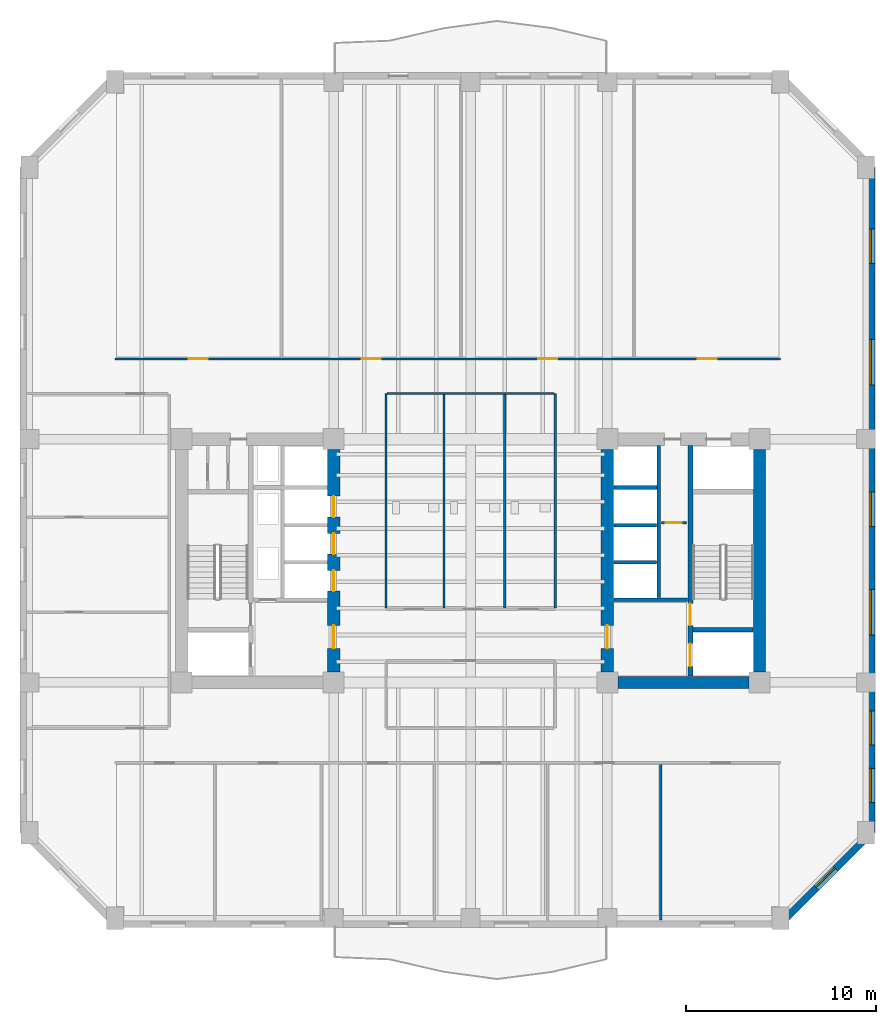
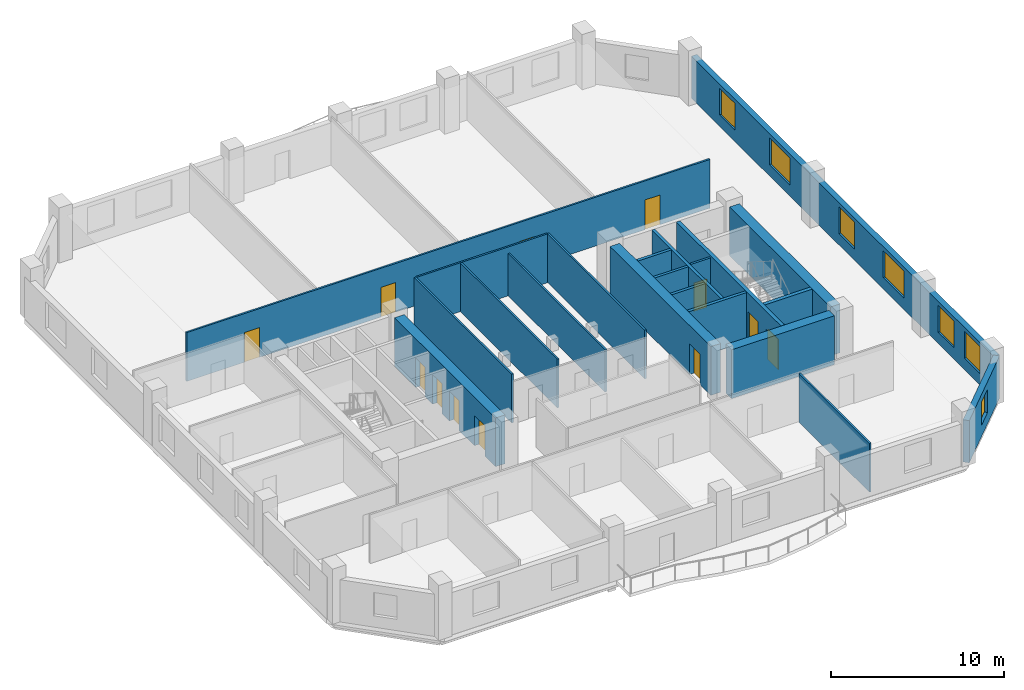
# One storey, part 4 of 10: 21 walls, 12 doors, 7 windows, 19 openings.
"""IFC4 building model written with IfcOpenShell, lengths in metres."""

from ifc_helpers import new_model, si_unit, direction, frame, frame_2d, origin, place, context, subcontext, project, spatial, rectangle, extrude, material, layer, layer_set, type_object, element, fill, save


model = new_model("IFC4")

# Units and contexts
model_context = context("Model", 3, precision=1e-05, world=origin(), true_north=direction((0.0, 1.0)))
body_context = subcontext(model_context, "Body", "Model", "MODEL_VIEW")
ifc_project = project(units=[si_unit("LENGTHUNIT", "METRE"), si_unit("AREAUNIT", "SQUARE_METRE"), si_unit("VOLUMEUNIT", "CUBIC_METRE"), si_unit("PLANEANGLEUNIT", "RADIAN"), si_unit("MASSUNIT", "GRAM", prefix="KILO")], contexts=[model_context])

# Site, building, storey
site_placement = place(None, origin())
site = spatial("IfcSite", under=ifc_project, at=site_placement, CompositionType="ELEMENT")
building_placement = place(site_placement, origin())
building = spatial("IfcBuilding", under=site, at=building_placement, Name="Kranthara Brick Stack", CompositionType="ELEMENT")
storey_placement = place(building_placement, frame((0.0, 0.0, 106.199951171875)))
storey = spatial("IfcBuildingStorey", under=building, at=storey_placement, Name="L26", CompositionType="ELEMENT", Elevation=106.199951171875)

# Wall, openings, windows
ifc_material_1 = material(Name="Kiln-fired clay brick masonry M15", Category="masonry")
ifc_layer_1 = layer(ifc_material_1, 0.3798828125)
ifc_layer_set_1 = layer_set([ifc_layer_1], Name="Kiln-fired clay brick masonry M15")
wall_type_1 = type_object("IfcWallType", Name="WL-BRK-PIER-380", PredefinedType="STANDARD", material=ifc_layer_set_1)
wall_1_placement = place(storey_placement, frame((49.090087890625, 47.89990234375, 0.0), z_axis=(0.0, 0.0, 1.0), x_axis=(0.0, -1.0, 0.0)))
wall_1 = element("IfcWall", 1, at=wall_1_placement, inside=storey, type_object=wall_type_1, Name="L26 Exterior Brick Facade Wall EAST 1", PredefinedType="STANDARD", context=body_context, shape_type="SweptSolid", body=[
    extrude(rectangle(XDim=35.0, YDim=0.3798828125, at=frame_2d((17.5, 0.0))), origin(), (0.0, 0.0, 1.0), 2.985107421875),
])
opening_1_placement = place(wall_1_placement, frame((3.251953125, 0.0, 0.800048828125)))
opening_1 = element("IfcOpeningElement", 2, at=opening_1_placement, cuts=wall_1, Name="Opening WN01", PredefinedType="OPENING", context=body_context, shape_type="SweptSolid", body=[
    extrude(rectangle(XDim=1.800048828125, YDim=1.89990234375, at=frame_2d((0.89990234375, 0.949951171875))), frame((0.0, 0.199951171875, 0.0), z_axis=(0.0, -1.0, 0.0), x_axis=(1.0, 0.0, 0.0)), (0.0, 0.0, 1.0), 0.39990234375),
])
opening_2_placement = place(wall_1_placement, frame((9.048095703125, 0.0, 0.800048828125)))
opening_2 = element("IfcOpeningElement", 3, at=opening_2_placement, cuts=wall_1, Name="Opening WN02", PredefinedType="OPENING", context=body_context, shape_type="SweptSolid", body=[
    extrude(rectangle(XDim=2.39990234375, YDim=1.89990234375, at=frame_2d((1.199951171875, 0.949951171875))), frame((0.0, 0.199951171875, 0.0), z_axis=(0.0, -1.0, 0.0), x_axis=(1.0, 0.0, 0.0)), (0.0, 0.0, 1.0), 0.39990234375),
])
opening_3_placement = place(wall_1_placement, frame((17.087890625, 0.0, 0.800048828125)))
opening_3 = element("IfcOpeningElement", 4, at=opening_3_placement, cuts=wall_1, Name="Opening WN01", PredefinedType="OPENING", context=body_context, shape_type="SweptSolid", body=[
    extrude(rectangle(XDim=1.800048828125, YDim=1.89990234375, at=frame_2d((0.89990234375, 0.949951171875))), frame((0.0, 0.199951171875, 0.0), z_axis=(0.0, -1.0, 0.0), x_axis=(1.0, 0.0, 0.0)), (0.0, 0.0, 1.0), 0.39990234375),
])
opening_4_placement = place(wall_1_placement, frame((22.2119140625, 0.0, 0.800048828125)))
opening_4 = element("IfcOpeningElement", 5, at=opening_4_placement, cuts=wall_1, Name="Opening WN02", PredefinedType="OPENING", context=body_context, shape_type="SweptSolid", body=[
    extrude(rectangle(XDim=2.39990234375, YDim=1.89990234375, at=frame_2d((1.199951171875, 0.949951171875))), frame((0.0, 0.199951171875, 0.0), z_axis=(0.0, -1.0, 0.0), x_axis=(1.0, 0.0, 0.0)), (0.0, 0.0, 1.0), 0.39990234375),
])
opening_5_placement = place(wall_1_placement, frame((28.587890625, 0.0, 0.800048828125)))
opening_5 = element("IfcOpeningElement", 6, at=opening_5_placement, cuts=wall_1, Name="Opening WN01", PredefinedType="OPENING", context=body_context, shape_type="SweptSolid", body=[
    extrude(rectangle(XDim=1.800048828125, YDim=1.89990234375, at=frame_2d((0.89990234375, 0.949951171875))), frame((0.0, 0.199951171875, 0.0), z_axis=(0.0, -1.0, 0.0), x_axis=(1.0, 0.0, 0.0)), (0.0, 0.0, 1.0), 0.39990234375),
])
opening_6_placement = place(wall_1_placement, frame((31.612060546875, 0.0, 0.800048828125)))
opening_6 = element("IfcOpeningElement", 7, at=opening_6_placement, cuts=wall_1, Name="Opening WN01", PredefinedType="OPENING", context=body_context, shape_type="SweptSolid", body=[
    extrude(rectangle(XDim=1.800048828125, YDim=1.89990234375, at=frame_2d((0.89990234375, 0.949951171875))), frame((0.0, 0.199951171875, 0.0), z_axis=(0.0, -1.0, 0.0), x_axis=(1.0, 0.0, 0.0)), (0.0, 0.0, 1.0), 0.39990234375),
])
ifc_material_2 = material(Name="Double-glazed low-E solar control glass", Category="glass")
window_type_1 = type_object("IfcWindowType", Name="WN-OFF-1800x2000", PartitioningType="SINGLE_PANEL", PredefinedType="WINDOW", material=ifc_material_2)
window_1_placement = place(opening_1_placement, origin())
window_1 = element("IfcWindow", 8, at=window_1_placement, inside=storey, type_object=window_type_1, Name="L26 East Deep-Set Brick Window 01", OverallHeight=1.89990234375, OverallWidth=1.800048828125, PartitioningType="SINGLE_PANEL", PredefinedType="WINDOW", context=body_context, shape_type="SweptSolid", body=[
    extrude(rectangle(XDim=1.800048828125, YDim=1.89990234375, at=frame_2d((0.89990234375, 0.949951171875))), frame((0.0, -0.010009765625, 0.0), z_axis=(0.0, -1.0, 0.0), x_axis=(1.0, 0.0, 0.0)), (0.0, 0.0, 1.0), 0.06005859375),
])
fill(opening_1, window_1)
window_2_placement = place(opening_3_placement, origin())
window_2 = element("IfcWindow", 9, at=window_2_placement, inside=storey, type_object=window_type_1, Name="L26 East Deep-Set Brick Window 03", OverallHeight=1.89990234375, OverallWidth=1.800048828125, PartitioningType="SINGLE_PANEL", PredefinedType="WINDOW", context=body_context, shape_type="SweptSolid", body=[
    extrude(rectangle(XDim=1.800048828125, YDim=1.89990234375, at=frame_2d((0.89990234375, 0.949951171875))), frame((0.0, -0.010009765625, 0.0), z_axis=(0.0, -1.0, 0.0), x_axis=(1.0, 0.0, 0.0)), (0.0, 0.0, 1.0), 0.06005859375),
])
fill(opening_3, window_2)
window_3_placement = place(opening_5_placement, origin())
window_3 = element("IfcWindow", 10, at=window_3_placement, inside=storey, type_object=window_type_1, Name="L26 East Deep-Set Brick Window 05", OverallHeight=1.89990234375, OverallWidth=1.800048828125, PartitioningType="SINGLE_PANEL", PredefinedType="WINDOW", context=body_context, shape_type="SweptSolid", body=[
    extrude(rectangle(XDim=1.800048828125, YDim=1.89990234375, at=frame_2d((0.89990234375, 0.949951171875))), frame((0.0, -0.010009765625, 0.0), z_axis=(0.0, -1.0, 0.0), x_axis=(1.0, 0.0, 0.0)), (0.0, 0.0, 1.0), 0.06005859375),
])
fill(opening_5, window_3)
window_4_placement = place(opening_6_placement, origin())
window_4 = element("IfcWindow", 11, at=window_4_placement, inside=storey, type_object=window_type_1, Name="L26 East Deep-Set Brick Window 06", OverallHeight=1.89990234375, OverallWidth=1.800048828125, PartitioningType="SINGLE_PANEL", PredefinedType="WINDOW", context=body_context, shape_type="SweptSolid", body=[
    extrude(rectangle(XDim=1.800048828125, YDim=1.89990234375, at=frame_2d((0.89990234375, 0.949951171875))), frame((0.0, -0.010009765625, 0.0), z_axis=(0.0, -1.0, 0.0), x_axis=(1.0, 0.0, 0.0)), (0.0, 0.0, 1.0), 0.06005859375),
])
fill(opening_6, window_4)
ifc_material_3 = material(Name="Double-glazed low-E solar control glass", Category="glass")
window_type_2 = type_object("IfcWindowType", Name="WN-OFF-2400x2000", PartitioningType="DOUBLE_PANEL_VERTICAL", PredefinedType="WINDOW", material=ifc_material_3)
window_5_placement = place(opening_2_placement, origin())
window_5 = element("IfcWindow", 12, at=window_5_placement, inside=storey, type_object=window_type_2, Name="L26 East Deep-Set Brick Window 02", OverallHeight=1.89990234375, OverallWidth=2.39990234375, PartitioningType="SINGLE_PANEL", PredefinedType="WINDOW", context=body_context, shape_type="SweptSolid", body=[
    extrude(rectangle(XDim=2.39990234375, YDim=1.89990234375, at=frame_2d((1.199951171875, 0.949951171875))), frame((0.0, -0.010009765625, 0.0), z_axis=(0.0, -1.0, 0.0), x_axis=(1.0, 0.0, 0.0)), (0.0, 0.0, 1.0), 0.06005859375),
])
fill(opening_2, window_5)
window_6_placement = place(opening_4_placement, origin())
window_6 = element("IfcWindow", 13, at=window_6_placement, inside=storey, type_object=window_type_2, Name="L26 East Deep-Set Brick Window 04", OverallHeight=1.89990234375, OverallWidth=2.39990234375, PartitioningType="SINGLE_PANEL", PredefinedType="WINDOW", context=body_context, shape_type="SweptSolid", body=[
    extrude(rectangle(XDim=2.39990234375, YDim=1.89990234375, at=frame_2d((1.199951171875, 0.949951171875))), frame((0.0, -0.010009765625, 0.0), z_axis=(0.0, -1.0, 0.0), x_axis=(1.0, 0.0, 0.0)), (0.0, 0.0, 1.0), 0.06005859375),
])
fill(opening_4, window_6)

# Wall, opening, window
wall_2_placement = place(storey_placement, frame((49.090087890625, 12.89990234375, 0.0), z_axis=(0.0, 0.0, 1.0), x_axis=(-0.707124801467, -0.707088760447, 0.0)))
wall_2 = element("IfcWall", 14, at=wall_2_placement, inside=storey, type_object=wall_type_1, Name="L26 Exterior Brick Facade Wall SE 1", PredefinedType="STANDARD", context=body_context, shape_type="SweptSolid", body=[
    extrude(rectangle(XDim=6.77392578125, YDim=0.3798828125, at=frame_2d((3.386962890625, 0.0))), origin(), (0.0, 0.0, 1.0), 2.985107421875),
])
opening_7_placement = place(wall_2_placement, frame((2.68701171875, 0.0, 0.800048828125)))
opening_7 = element("IfcOpeningElement", 15, at=opening_7_placement, cuts=wall_2, Name="Opening WN10", PredefinedType="OPENING", context=body_context, shape_type="SweptSolid", body=[
    extrude(rectangle(XDim=1.39990234375, YDim=1.64990234375, at=frame_2d((0.699951171875, 0.824951171875))), frame((0.0, 0.199951171875, 0.0), z_axis=(0.0, -1.0, 0.0), x_axis=(1.0, 0.0, 0.0)), (0.0, 0.0, 1.0), 0.39990234375),
])
ifc_material_4 = material(Name="Double-glazed low-E solar control glass", Category="glass")
window_type_3 = type_object("IfcWindowType", Name="WN-CHM-1400x1750", PartitioningType="SINGLE_PANEL", PredefinedType="WINDOW", material=ifc_material_4)
window_7_placement = place(opening_7_placement, origin())
window_7 = element("IfcWindow", 16, at=window_7_placement, inside=storey, type_object=window_type_3, Name="L26 SE Chamfer Corner Window", OverallHeight=1.64990234375, OverallWidth=1.39990234375, PartitioningType="SINGLE_PANEL", PredefinedType="WINDOW", context=body_context, shape_type="SweptSolid", body=[
    extrude(rectangle(XDim=1.39990234375, YDim=1.64990234375, at=frame_2d((0.699951171875, 0.824951171875))), frame((0.0, -0.010009765625, 0.0), z_axis=(0.0, -1.0, 0.0), x_axis=(1.0, 0.0, 0.0)), (0.0, 0.0, 1.0), 0.06005859375),
])
fill(opening_7, window_7)

# Wall, openings, doors
ifc_material_5 = material(Name="Concrete C50/60", Category="concrete")
ifc_layer_2 = layer(ifc_material_5, 0.25)
ifc_layer_set_2 = layer_set([ifc_layer_2], Name="Concrete C50/60")
wall_type_2 = type_object("IfcWallType", Name="WL-CORE-250", PredefinedType="SHEAR", material=ifc_layer_set_2)
wall_3_placement = place(storey_placement, frame((39.56494140625, 21.135009765625, 0.0), z_axis=(0.0, 0.0, 1.0), x_axis=(0.0, 1.0, 0.0)))
wall_3 = element("IfcWall", 17, at=wall_3_placement, inside=storey, type_object=wall_type_2, Name="L26 East Core Stair Bearing Spine Wall", PredefinedType="SHEAR", context=body_context, shape_type="SweptSolid", body=[
    extrude(rectangle(XDim=12.1298828125, YDim=0.25, at=frame_2d((6.06494140625, 0.0))), origin(), (0.0, 0.0, 1.0), 3.449951171875),
])
opening_8_placement = place(wall_3_placement, frame((0.514892578125, 0.0, 0.0)))
opening_8 = element("IfcOpeningElement", 18, at=opening_8_placement, cuts=wall_3, Name="Opening LD01", PredefinedType="OPENING", context=body_context, shape_type="SweptSolid", body=[
    extrude(rectangle(XDim=1.199951171875, YDim=2.14990234375, at=frame_2d((0.60009765625, 1.074951171875))), frame((0.0, 0.135009765625, 0.0), z_axis=(0.0, -1.0, 0.0), x_axis=(1.0, 0.0, 0.0)), (0.0, 0.0, 1.0), 0.27001953125),
])
opening_9_placement = place(wall_3_placement, frame((2.6650390625, 0.0, 0.0)))
opening_9 = element("IfcOpeningElement", 19, at=opening_9_placement, cuts=wall_3, Name="Opening D05", PredefinedType="OPENING", context=body_context, shape_type="SweptSolid", body=[
    extrude(rectangle(XDim=1.14990234375, YDim=2.14990234375, at=frame_2d((0.574951171875, 1.074951171875))), frame((0.0, 0.135009765625, 0.0), z_axis=(0.0, -1.0, 0.0), x_axis=(1.0, 0.0, 0.0)), (0.0, 0.0, 1.0), 0.27001953125),
])
ifc_material_6 = material(Name="Stainless steel sliding landing door", Category="steel")
door_type_1 = type_object("IfcDoorType", Name="DR-LD-FF1200", OperationType="DOUBLE_DOOR_SLIDING", PredefinedType="DOOR", material=ifc_material_6)
door_1_placement = place(opening_8_placement, origin())
door_1 = element("IfcDoor", 20, at=door_1_placement, inside=storey, type_object=door_type_1, Name="L26 Firefighting Lift FF-02 Landing Door", OperationType="DOUBLE_DOOR_SLIDING", OverallHeight=2.14990234375, OverallWidth=1.199951171875, PredefinedType="DOOR", context=body_context, shape_type="SweptSolid", body=[
    extrude(rectangle(XDim=1.199951171875, YDim=2.14990234375, at=frame_2d((0.60009765625, 1.074951171875))), frame((0.0, 0.02490234375, 0.0), z_axis=(0.0, -1.0, 0.0), x_axis=(1.0, 0.0, 0.0)), (0.0, 0.0, 1.0), 0.050048828125),
])
fill(opening_8, door_1)
ifc_material_7 = material(Name="Solid-core hardwood timber leaf in steel frame", Category="steel")
door_type_2 = type_object("IfcDoorType", Name="DR-ST-1150", OperationType="NOTDEFINED", PredefinedType="DOOR", material=ifc_material_7)
door_2_placement = place(opening_9_placement, origin())
door_2 = element("IfcDoor", 21, at=door_2_placement, inside=storey, type_object=door_type_2, Name="L26 Exit Stair ST02 Door", OperationType="SINGLE_SWING_LEFT", OverallHeight=2.14990234375, OverallWidth=1.14990234375, PredefinedType="DOOR", context=body_context, shape_type="SweptSolid", body=[
    extrude(rectangle(XDim=1.14990234375, YDim=2.14990234375, at=frame_2d((0.574951171875, 1.074951171875))), frame((0.0, 0.02490234375, 0.0), z_axis=(0.0, -1.0, 0.0), x_axis=(1.0, 0.0, 0.0)), (0.0, 0.0, 1.0), 0.050048828125),
])
fill(opening_9, door_2)

# Wall
wall_4_placement = place(storey_placement, frame((39.68994140625, 23.570068359375, 0.0), z_axis=(0.0, 0.0, 1.0), x_axis=(1.0, 0.0, 0.0)))
element("IfcWall", 22, at=wall_4_placement, inside=storey, type_object=wall_type_2, Name="L26 East Stairwell Bearing Wall EFF", PredefinedType="SHEAR", context=body_context, shape_type="SweptSolid", body=[
    extrude(rectangle(XDim=3.175048828125, YDim=0.25, at=frame_2d((1.58740234375, 0.0))), origin(), (0.0, 0.0, 1.0), 3.449951171875),
])

# Wall, openings, doors
ifc_material_8 = material(Name="Concrete C60/75", Category="concrete")
ifc_layer_3 = layer(ifc_material_8, 0.64990234375)
ifc_layer_set_3 = layer_set([ifc_layer_3], Name="Concrete C60/75")
wall_type_3 = type_object("IfcWallType", Name="WL-CORE-650", PredefinedType="SHEAR", material=ifc_layer_set_3)
wall_5_placement = place(storey_placement, frame((20.800048828125, 21.35498046875, 0.0), z_axis=(0.0, 0.0, 1.0), x_axis=(0.0, 1.0, 0.0)))
wall_5 = element("IfcWall", 23, at=wall_5_placement, inside=storey, type_object=wall_type_3, Name="L26 West Core Shear Wall East", PredefinedType="SHEAR", context=body_context, shape_type="SweptSolid", body=[
    extrude(rectangle(XDim=11.68994140625, YDim=0.64990234375, at=frame_2d((5.844970703125, 0.0))), origin(), (0.0, 0.0, 1.0), 3.449951171875),
])
opening_10_placement = place(wall_5_placement, frame((1.2451171875, 0.0, 0.0)))
opening_10 = element("IfcOpeningElement", 24, at=opening_10_placement, cuts=wall_5, Name="Opening D06", PredefinedType="OPENING", context=body_context, shape_type="SweptSolid", body=[
    extrude(rectangle(XDim=1.199951171875, YDim=2.14990234375, at=frame_2d((0.60009765625, 1.074951171875))), frame((0.0, 0.3349609375, 0.0), z_axis=(0.0, -1.0, 0.0), x_axis=(1.0, 0.0, 0.0)), (0.0, 0.0, 1.0), 0.669921875),
])
opening_11_placement = place(wall_5_placement, frame((4.2451171875, 0.0, 0.0)))
opening_11 = element("IfcOpeningElement", 25, at=opening_11_placement, cuts=wall_5, Name="Opening LD02", PredefinedType="OPENING", context=body_context, shape_type="SweptSolid", body=[
    extrude(rectangle(XDim=1.10009765625, YDim=2.10009765625, at=frame_2d((0.550048828125, 1.050048828125))), frame((0.0, 0.3349609375, 0.0), z_axis=(0.0, -1.0, 0.0), x_axis=(1.0, 0.0, 0.0)), (0.0, 0.0, 1.0), 0.669921875),
])
opening_12_placement = place(wall_5_placement, frame((6.195068359375, 0.0, 0.0)))
opening_12 = element("IfcOpeningElement", 26, at=opening_12_placement, cuts=wall_5, Name="Opening LD02", PredefinedType="OPENING", context=body_context, shape_type="SweptSolid", body=[
    extrude(rectangle(XDim=1.10009765625, YDim=2.10009765625, at=frame_2d((0.550048828125, 1.050048828125))), frame((0.0, 0.3349609375, 0.0), z_axis=(0.0, -1.0, 0.0), x_axis=(1.0, 0.0, 0.0)), (0.0, 0.0, 1.0), 0.669921875),
])
opening_13_placement = place(wall_5_placement, frame((8.14501953125, 0.0, 0.0)))
opening_13 = element("IfcOpeningElement", 27, at=opening_13_placement, cuts=wall_5, Name="Opening LD02", PredefinedType="OPENING", context=body_context, shape_type="SweptSolid", body=[
    extrude(rectangle(XDim=1.10009765625, YDim=2.10009765625, at=frame_2d((0.550048828125, 1.050048828125))), frame((0.0, 0.3349609375, 0.0), z_axis=(0.0, -1.0, 0.0), x_axis=(1.0, 0.0, 0.0)), (0.0, 0.0, 1.0), 0.669921875),
])
ifc_material_9 = material(Name="Solid-core hardwood timber leaf in steel frame", Category="steel")
door_type_3 = type_object("IfcDoorType", Name="DR-FFL-1200", OperationType="NOTDEFINED", PredefinedType="DOOR", material=ifc_material_9)
door_3_placement = place(opening_10_placement, origin())
door_3 = element("IfcDoor", 28, at=door_3_placement, inside=storey, type_object=door_type_3, Name="L26 West Firefighting Lobby Door", OperationType="SINGLE_SWING_LEFT", OverallHeight=2.14990234375, OverallWidth=1.199951171875, PredefinedType="DOOR", context=body_context, shape_type="SweptSolid", body=[
    extrude(rectangle(XDim=1.199951171875, YDim=2.14990234375, at=frame_2d((0.60009765625, 1.074951171875))), frame((0.0, 0.02490234375, 0.0), z_axis=(0.0, -1.0, 0.0), x_axis=(1.0, 0.0, 0.0)), (0.0, 0.0, 1.0), 0.050048828125),
])
fill(opening_10, door_3)
ifc_material_10 = material(Name="Stainless steel sliding landing door", Category="steel")
door_type_4 = type_object("IfcDoorType", Name="DR-LD-PL1100", OperationType="DOUBLE_DOOR_SLIDING", PredefinedType="DOOR", material=ifc_material_10)
door_4_placement = place(opening_11_placement, origin())
door_4 = element("IfcDoor", 29, at=door_4_placement, inside=storey, type_object=door_type_4, Name="L26 PL-01 Lift Landing Door", OperationType="DOUBLE_DOOR_SLIDING", OverallHeight=2.10009765625, OverallWidth=1.10009765625, PredefinedType="DOOR", context=body_context, shape_type="SweptSolid", body=[
    extrude(rectangle(XDim=1.10009765625, YDim=2.10009765625, at=frame_2d((0.550048828125, 1.050048828125))), frame((0.0, 0.02490234375, 0.0), z_axis=(0.0, -1.0, 0.0), x_axis=(1.0, 0.0, 0.0)), (0.0, 0.0, 1.0), 0.050048828125),
])
fill(opening_11, door_4)
door_5_placement = place(opening_12_placement, origin())
door_5 = element("IfcDoor", 30, at=door_5_placement, inside=storey, type_object=door_type_4, Name="L26 PL-02 Lift Landing Door", OperationType="DOUBLE_DOOR_SLIDING", OverallHeight=2.10009765625, OverallWidth=1.10009765625, PredefinedType="DOOR", context=body_context, shape_type="SweptSolid", body=[
    extrude(rectangle(XDim=1.10009765625, YDim=2.10009765625, at=frame_2d((0.550048828125, 1.050048828125))), frame((0.0, 0.02490234375, 0.0), z_axis=(0.0, -1.0, 0.0), x_axis=(1.0, 0.0, 0.0)), (0.0, 0.0, 1.0), 0.050048828125),
])
fill(opening_12, door_5)
door_6_placement = place(opening_13_placement, origin())
door_6 = element("IfcDoor", 31, at=door_6_placement, inside=storey, type_object=door_type_4, Name="L26 PL-03 Lift Landing Door", OperationType="DOUBLE_DOOR_SLIDING", OverallHeight=2.10009765625, OverallWidth=1.10009765625, PredefinedType="DOOR", context=body_context, shape_type="SweptSolid", body=[
    extrude(rectangle(XDim=1.10009765625, YDim=2.10009765625, at=frame_2d((0.550048828125, 1.050048828125))), frame((0.0, 0.02490234375, 0.0), z_axis=(0.0, -1.0, 0.0), x_axis=(1.0, 0.0, 0.0)), (0.0, 0.0, 1.0), 0.050048828125),
])
fill(opening_13, door_6)

# Walls
wall_6_placement = place(storey_placement, frame((43.199951171875, 21.35498046875, 0.0), z_axis=(0.0, 0.0, 1.0), x_axis=(0.0, 1.0, 0.0)))
element("IfcWall", 32, at=wall_6_placement, inside=storey, type_object=wall_type_3, Name="L26 East Core Shear Wall East", PredefinedType="SHEAR", context=body_context, shape_type="SweptSolid", body=[
    extrude(rectangle(XDim=11.68994140625, YDim=0.64990234375, at=frame_2d((5.844970703125, 0.0))), origin(), (0.0, 0.0, 1.0), 3.449951171875),
])
wall_7_placement = place(storey_placement, frame((35.7548828125, 20.800048828125, 0.0), z_axis=(0.0, 0.0, 1.0), x_axis=(1.0, 0.0, 0.0)))
element("IfcWall", 33, at=wall_7_placement, inside=storey, type_object=wall_type_3, Name="L26 East Core Shear Wall South", PredefinedType="SHEAR", context=body_context, shape_type="SweptSolid", body=[
    extrude(rectangle(XDim=6.89013671875, YDim=0.64990234375, at=frame_2d((3.445068359375, 0.0))), origin(), (0.0, 0.0, 1.0), 3.449951171875),
])

# Wall, opening, door
wall_8_placement = place(storey_placement, frame((35.199951171875, 21.35498046875, 0.0), z_axis=(0.0, 0.0, 1.0), x_axis=(0.0, 1.0, 0.0)))
wall_8 = element("IfcWall", 34, at=wall_8_placement, inside=storey, type_object=wall_type_3, Name="L26 East Core Shear Wall West", PredefinedType="SHEAR", context=body_context, shape_type="SweptSolid", body=[
    extrude(rectangle(XDim=11.68994140625, YDim=0.64990234375, at=frame_2d((5.844970703125, 0.0))), origin(), (0.0, 0.0, 1.0), 3.449951171875),
])
opening_14_placement = place(wall_8_placement, frame((1.2451171875, 0.0, 0.0)))
opening_14 = element("IfcOpeningElement", 35, at=opening_14_placement, cuts=wall_8, Name="Opening D06", PredefinedType="OPENING", context=body_context, shape_type="SweptSolid", body=[
    extrude(rectangle(XDim=1.199951171875, YDim=2.14990234375, at=frame_2d((0.60009765625, 1.074951171875))), frame((0.0, 0.3349609375, 0.0), z_axis=(0.0, -1.0, 0.0), x_axis=(1.0, 0.0, 0.0)), (0.0, 0.0, 1.0), 0.669921875),
])
door_7_placement = place(opening_14_placement, origin())
door_7 = element("IfcDoor", 36, at=door_7_placement, inside=storey, type_object=door_type_3, Name="L26 East Firefighting Lobby Door", OperationType="SINGLE_SWING_RIGHT", OverallHeight=2.14990234375, OverallWidth=1.199951171875, PredefinedType="DOOR", context=body_context, shape_type="SweptSolid", body=[
    extrude(rectangle(XDim=1.199951171875, YDim=2.14990234375, at=frame_2d((0.60009765625, 1.074951171875))), frame((0.0, 0.02490234375, 0.0), z_axis=(0.0, -1.0, 0.0), x_axis=(1.0, 0.0, 0.0)), (0.0, 0.0, 1.0), 0.050048828125),
])
fill(opening_14, door_7)

# Walls
ifc_material_11 = material(Name="Acoustic gypsum plasterboard partition", Category="other")
ifc_layer_4 = layer(ifc_material_11, 0.1201171875)
ifc_layer_set_4 = layer_set([ifc_layer_4], Name="Acoustic gypsum plasterboard partition")
wall_type_4 = type_object("IfcWallType", Name="WL-PART-120", PredefinedType="PARTITIONING", material=ifc_layer_set_4)
for number, where, z_axis, x_axis, name in (
    (37, (23.550048828125, 24.715087890625, 0.0), (0.0, 0.0, 1.0), (0.0, 1.0, 0.0), "L26 Interior Partition 005"),
    (38, (32.449951171875, 24.715087890625, 0.0), (0.0, 0.0, 1.0), (0.0, 1.0, 0.0), "L26 Interior Partition 006"),
    (39, (26.60009765625, 24.715087890625, 0.0), (0.0, 0.0, 1.0), (0.0, 1.0, 0.0), "L26 Interior Partition 007"),
):
    element("IfcWall", number, at=place(storey_placement, frame(where, z_axis=z_axis, x_axis=x_axis)), inside=storey, type_object=wall_type_4, Name=name, PredefinedType="PARTITIONING", context=body_context, shape_type="SweptSolid", body=[
        extrude(rectangle(XDim=11.284912109375, YDim=0.1201171875, at=frame_2d((5.642578125, 0.0))), origin(), (0.0, 0.0, 1.0), 3.449951171875),
    ])
wall_9_placement = place(storey_placement, frame((29.800048828125, 24.715087890625, 0.0), z_axis=(0.0, 0.0, 1.0), x_axis=(0.0, 1.0, 0.0)))
element("IfcWall", 40, at=wall_9_placement, inside=storey, type_object=wall_type_4, Name="L26 Interior Partition 008", PredefinedType="PARTITIONING", context=body_context, shape_type="SweptSolid", body=[
    extrude(rectangle(XDim=11.284912109375, YDim=0.1201171875, at=frame_2d((5.642578125, 0.0))), origin(), (0.0, 0.0, 1.0), 2.985107421875),
])
wall_10_placement = place(storey_placement, frame((23.614990234375, 36.0, 0.0), z_axis=(0.0, 0.0, 1.0), x_axis=(1.0, 0.0, 0.0)))
element("IfcWall", 41, at=wall_10_placement, inside=storey, type_object=wall_type_4, Name="L26 Interior Partition 009", PredefinedType="PARTITIONING", context=body_context, shape_type="SweptSolid", body=[
    extrude(rectangle(XDim=8.77001953125, YDim=0.1201171875, at=frame_2d((4.385009765625, 0.0))), origin(), (0.0, 0.0, 1.0), 3.449951171875),
])
wall_11_placement = place(storey_placement, frame((38.0, 8.304931640625, 0.0), z_axis=(0.0, 0.0, 1.0), x_axis=(0.0, 1.0, 0.0)))
element("IfcWall", 42, at=wall_11_placement, inside=storey, type_object=wall_type_4, Name="L26 Interior Partition 019", PredefinedType="PARTITIONING", context=body_context, shape_type="SweptSolid", body=[
    extrude(rectangle(XDim=8.175048828125, YDim=0.1201171875, at=frame_2d((4.08740234375, 0.0))), origin(), (0.0, 0.0, 1.0), 3.449951171875),
])

# Wall, openings, doors
wall_12_placement = place(storey_placement, frame((9.300048828125, 37.820068359375, 0.0), z_axis=(0.0, 0.0, 1.0), x_axis=(1.0, 0.0, 0.0)))
wall_12 = element("IfcWall", 43, at=wall_12_placement, inside=storey, type_object=wall_type_4, Name="L26 Interior Partition 020", PredefinedType="PARTITIONING", context=body_context, shape_type="SweptSolid", body=[
    extrude(rectangle(XDim=35.0, YDim=0.1201171875, at=frame_2d((17.5, 0.0))), origin(), (0.0, 0.0, 1.0), 3.449951171875),
])
opening_15_placement = place(wall_12_placement, frame((3.875, 0.0, 0.0)))
opening_15 = element("IfcOpeningElement", 44, at=opening_15_placement, cuts=wall_12, Name="Opening D13", PredefinedType="OPENING", context=body_context, shape_type="SweptSolid", body=[
    extrude(rectangle(XDim=1.0, YDim=2.10009765625, at=frame_2d((0.5, 1.050048828125))), frame((0.0, 0.070068359375, 0.0), z_axis=(0.0, -1.0, 0.0), x_axis=(1.0, 0.0, 0.0)), (0.0, 0.0, 1.0), 0.14013671875),
])
opening_16_placement = place(wall_12_placement, frame((12.97509765625, 0.0, 0.0)))
opening_16 = element("IfcOpeningElement", 45, at=opening_16_placement, cuts=wall_12, Name="Opening D13", PredefinedType="OPENING", context=body_context, shape_type="SweptSolid", body=[
    extrude(rectangle(XDim=1.0, YDim=2.10009765625, at=frame_2d((0.5, 1.050048828125))), frame((0.0, 0.070068359375, 0.0), z_axis=(0.0, -1.0, 0.0), x_axis=(1.0, 0.0, 0.0)), (0.0, 0.0, 1.0), 0.14013671875),
])
opening_17_placement = place(wall_12_placement, frame((22.25, 0.0, 0.0)))
opening_17 = element("IfcOpeningElement", 46, at=opening_17_placement, cuts=wall_12, Name="Opening D13", PredefinedType="OPENING", context=body_context, shape_type="SweptSolid", body=[
    extrude(rectangle(XDim=1.0, YDim=2.10009765625, at=frame_2d((0.5, 1.050048828125))), frame((0.0, 0.070068359375, 0.0), z_axis=(0.0, -1.0, 0.0), x_axis=(1.0, 0.0, 0.0)), (0.0, 0.0, 1.0), 0.14013671875),
])
opening_18_placement = place(wall_12_placement, frame((30.64990234375, 0.0, 0.0)))
opening_18 = element("IfcOpeningElement", 47, at=opening_18_placement, cuts=wall_12, Name="Opening D13", PredefinedType="OPENING", context=body_context, shape_type="SweptSolid", body=[
    extrude(rectangle(XDim=1.0, YDim=2.10009765625, at=frame_2d((0.5, 1.050048828125))), frame((0.0, 0.070068359375, 0.0), z_axis=(0.0, -1.0, 0.0), x_axis=(1.0, 0.0, 0.0)), (0.0, 0.0, 1.0), 0.14013671875),
])
ifc_material_12 = material(Name="Solid-core hardwood timber leaf in steel frame", Category="steel")
door_type_5 = type_object("IfcDoorType", Name="DR-INT-1000", OperationType="NOTDEFINED", PredefinedType="DOOR", material=ifc_material_12)
door_8_placement = place(opening_15_placement, origin())
door_8 = element("IfcDoor", 48, at=door_8_placement, inside=storey, type_object=door_type_5, Name="L26 Meeting Room 14", OperationType="SINGLE_SWING_RIGHT", OverallHeight=2.10009765625, OverallWidth=1.0, PredefinedType="DOOR", context=body_context, shape_type="SweptSolid", body=[
    extrude(rectangle(XDim=1.0, YDim=2.10009765625, at=frame_2d((0.5, 1.050048828125))), frame((0.0, 0.02490234375, 0.0), z_axis=(0.0, -1.0, 0.0), x_axis=(1.0, 0.0, 0.0)), (0.0, 0.0, 1.0), 0.050048828125),
])
fill(opening_15, door_8)
door_9_placement = place(opening_16_placement, origin())
door_9 = element("IfcDoor", 49, at=door_9_placement, inside=storey, type_object=door_type_5, Name="L26 Meeting Room 15", OperationType="SINGLE_SWING_LEFT", OverallHeight=2.10009765625, OverallWidth=1.0, PredefinedType="DOOR", context=body_context, shape_type="SweptSolid", body=[
    extrude(rectangle(XDim=1.0, YDim=2.10009765625, at=frame_2d((0.5, 1.050048828125))), frame((0.0, 0.02490234375, 0.0), z_axis=(0.0, -1.0, 0.0), x_axis=(1.0, 0.0, 0.0)), (0.0, 0.0, 1.0), 0.050048828125),
])
fill(opening_16, door_9)
door_10_placement = place(opening_17_placement, origin())
door_10 = element("IfcDoor", 50, at=door_10_placement, inside=storey, type_object=door_type_5, Name="L26 Meeting Room 16", OperationType="SINGLE_SWING_RIGHT", OverallHeight=2.10009765625, OverallWidth=1.0, PredefinedType="DOOR", context=body_context, shape_type="SweptSolid", body=[
    extrude(rectangle(XDim=1.0, YDim=2.10009765625, at=frame_2d((0.5, 1.050048828125))), frame((0.0, 0.02490234375, 0.0), z_axis=(0.0, -1.0, 0.0), x_axis=(1.0, 0.0, 0.0)), (0.0, 0.0, 1.0), 0.050048828125),
])
fill(opening_17, door_10)
door_11_placement = place(opening_18_placement, origin())
door_11 = element("IfcDoor", 51, at=door_11_placement, inside=storey, type_object=door_type_5, Name="L26 Boardroom 17", OperationType="SINGLE_SWING_LEFT", OverallHeight=2.10009765625, OverallWidth=1.0, PredefinedType="DOOR", context=body_context, shape_type="SweptSolid", body=[
    extrude(rectangle(XDim=1.0, YDim=2.10009765625, at=frame_2d((0.5, 1.050048828125))), frame((0.0, 0.02490234375, 0.0), z_axis=(0.0, -1.0, 0.0), x_axis=(1.0, 0.0, 0.0)), (0.0, 0.0, 1.0), 0.050048828125),
])
fill(opening_18, door_11)

# Wall, opening, door
ifc_material_13 = material(Name="Fire-rated gypsum board partition", Category="other")
ifc_layer_5 = layer(ifc_material_13, 0.14990234375)
ifc_layer_set_5 = layer_set([ifc_layer_5], Name="Fire-rated gypsum board partition")
wall_type_5 = type_object("IfcWallType", Name="WL-PART-150", PredefinedType="PARTITIONING", material=ifc_layer_set_5)
wall_13_placement = place(storey_placement, frame((38.050048828125, 29.199951171875, 0.0), z_axis=(0.0, 0.0, 1.0), x_axis=(1.0, 0.0, 0.0)))
wall_13 = element("IfcWall", 52, at=wall_13_placement, inside=storey, type_object=wall_type_5, Name="L26 Interior Partition 003", PredefinedType="PARTITIONING", context=body_context, shape_type="SweptSolid", body=[
    extrude(rectangle(XDim=1.300048828125, YDim=0.14990234375, at=frame_2d((0.64990234375, 0.0))), origin(), (0.0, 0.0, 1.0), 3.449951171875),
])
opening_19_placement = place(wall_13_placement, frame((0.219970703125, 0.0, 0.0)))
opening_19 = element("IfcOpeningElement", 53, at=opening_19_placement, cuts=wall_13, Name="Opening D10", PredefinedType="OPENING", context=body_context, shape_type="SweptSolid", body=[
    extrude(rectangle(XDim=0.85009765625, YDim=2.02001953125, at=frame_2d((0.425048828125, 1.010009765625))), frame((0.0, 0.0849609375, 0.0), z_axis=(0.0, -1.0, 0.0), x_axis=(1.0, 0.0, 0.0)), (0.0, 0.0, 1.0), 0.169921875),
])
ifc_material_14 = material(Name="Solid-core hardwood timber leaf in steel frame", Category="steel")
door_type_6 = type_object("IfcDoorType", Name="DR-RSR-850", OperationType="NOTDEFINED", PredefinedType="DOOR", material=ifc_material_14)
door_12_placement = place(opening_19_placement, origin())
door_12 = element("IfcDoor", 54, at=door_12_placement, inside=storey, type_object=door_type_6, Name="L26 East Service Door 03", OperationType="SINGLE_SWING_LEFT", OverallHeight=2.02001953125, OverallWidth=0.85009765625, PredefinedType="DOOR", context=body_context, shape_type="SweptSolid", body=[
    extrude(rectangle(XDim=0.85009765625, YDim=2.02001953125, at=frame_2d((0.425048828125, 1.010009765625))), frame((0.0, 0.02490234375, 0.0), z_axis=(0.0, -1.0, 0.0), x_axis=(1.0, 0.0, 0.0)), (0.0, 0.0, 1.0), 0.050048828125),
])
fill(opening_19, door_12)

# Walls
ifc_material_15 = material(Name="Gypsum plasterboard on acoustic twin stud", Category="other")
ifc_layer_6 = layer(ifc_material_15, 0.179931640625)
ifc_layer_set_6 = layer_set([ifc_layer_6], Name="Gypsum plasterboard on acoustic twin stud")
wall_type_6 = type_object("IfcWallType", Name="WL-PART-180", PredefinedType="PARTITIONING", material=ifc_layer_set_6)
for number, where, z_axis, x_axis, name in (
    (55, (35.534912109375, 27.1201171875, 0.0), (0.0, 0.0, 1.0), (1.0, 0.0, 0.0), "L26 East Hoistway Wall EH1"),
    (56, (35.534912109375, 29.080078125, 0.0), (0.0, 0.0, 1.0), (1.0, 0.0, 0.0), "L26 East Hoistway Wall EH2"),
):
    element("IfcWall", number, at=place(storey_placement, frame(where, z_axis=z_axis, x_axis=x_axis)), inside=storey, type_object=wall_type_6, Name=name, PredefinedType="PARTITIONING", context=body_context, shape_type="SweptSolid", body=[
        extrude(rectangle(XDim=2.2451171875, YDim=0.179931640625, at=frame_2d((1.12255859375, 0.0))), origin(), (0.0, 0.0, 1.0), 3.449951171875),
    ])
ifc_material_16 = material(Name="Concrete C40/50", Category="concrete")
ifc_layer_7 = layer(ifc_material_16, 0.199951171875)
ifc_layer_set_7 = layer_set([ifc_layer_7], Name="Concrete C40/50")
wall_type_7 = type_object("IfcWallType", Name="WL-PART-200", PredefinedType="SOLIDWALL", material=ifc_layer_set_7)
wall_14_placement = place(storey_placement, frame((35.534912109375, 25.14990234375, 0.0), z_axis=(0.0, 0.0, 1.0), x_axis=(1.0, 0.0, 0.0)))
element("IfcWall", 57, at=wall_14_placement, inside=storey, type_object=wall_type_7, Name="L26 East Core Cross Wall EFL", PredefinedType="SOLIDWALL", context=body_context, shape_type="SweptSolid", body=[
    extrude(rectangle(XDim=3.864990234375, YDim=0.199951171875, at=frame_2d((1.9326171875, 0.0))), origin(), (0.0, 0.0, 1.0), 3.449951171875),
])
wall_15_placement = place(storey_placement, frame((35.550048828125, 31.050048828125, 0.0), z_axis=(0.0, 0.0, 1.0), x_axis=(1.0, 0.0, 0.0)))
element("IfcWall", 58, at=wall_15_placement, inside=storey, type_object=wall_type_7, Name="L26 East Core Cross Wall EE4", PredefinedType="SOLIDWALL", context=body_context, shape_type="SweptSolid", body=[
    extrude(rectangle(XDim=2.25, YDim=0.199951171875, at=frame_2d((1.125, 0.0))), origin(), (0.0, 0.0, 1.0), 3.449951171875),
])
wall_16_placement = place(storey_placement, frame((37.89990234375, 25.27001953125, 0.0), z_axis=(0.0, 0.0, 1.0), x_axis=(0.0, 1.0, 0.0)))
element("IfcWall", 59, at=wall_16_placement, inside=storey, type_object=wall_type_7, Name="L26 East Core Cross Wall ESV", PredefinedType="SOLIDWALL", context=body_context, shape_type="SweptSolid", body=[
    extrude(rectangle(XDim=7.994873046875, YDim=0.199951171875, at=frame_2d((3.99755859375, 0.0))), origin(), (0.0, 0.0, 1.0), 3.449951171875),
])

save(model, "model.ifc")
